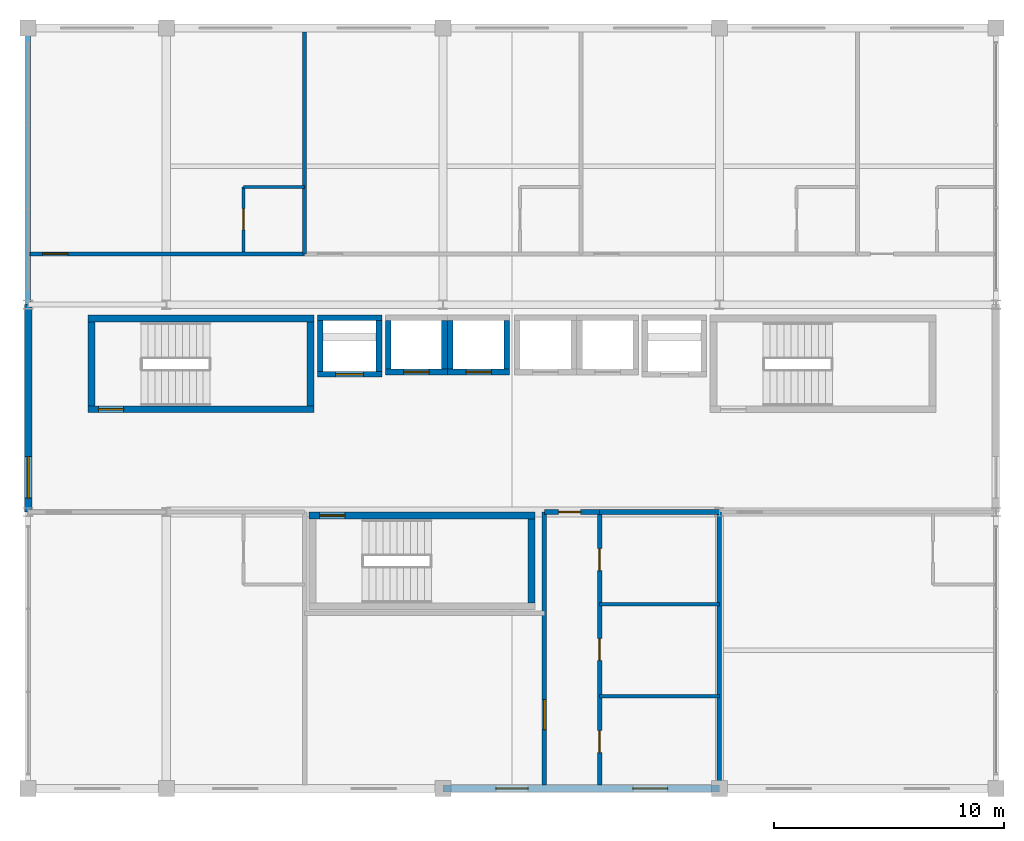
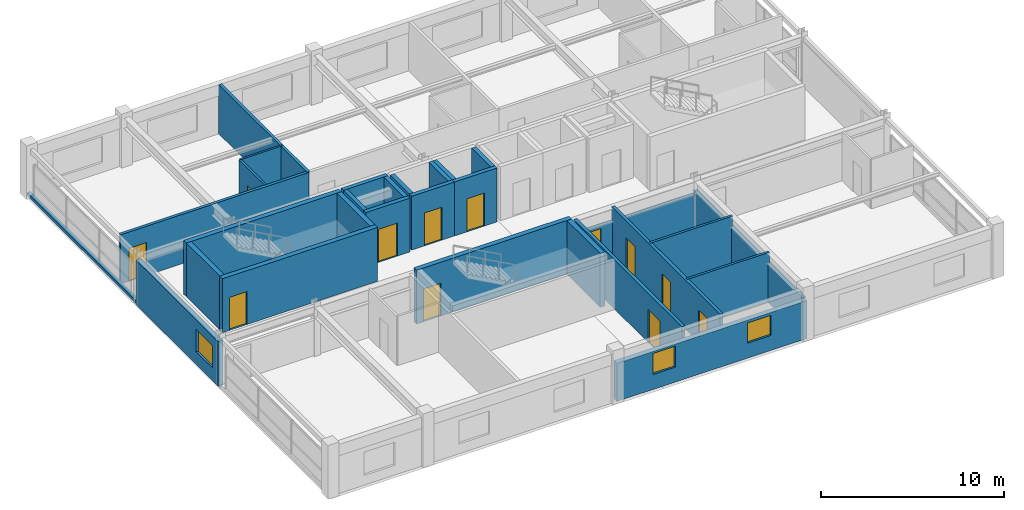
# One storey, part 19 of 22: 30 walls, 12 doors, 3 windows, 15 openings.
"""IFC4 building model written with IfcOpenShell, lengths in metres."""

from ifc_helpers import new_model, si_unit, direction, frame, frame_2d, origin, place, context, subcontext, project, spatial, rectangle, extrude, material, layer, layer_set, type_object, element, fill, save


model = new_model("IFC4")

# Units and contexts
model_context = context("Model", 3, precision=1e-05, world=origin(), true_north=direction((0.0, 1.0)))
body_context = subcontext(model_context, "Body", "Model", "MODEL_VIEW")
ifc_project = project(units=[si_unit("LENGTHUNIT", "METRE"), si_unit("AREAUNIT", "SQUARE_METRE"), si_unit("VOLUMEUNIT", "CUBIC_METRE"), si_unit("PLANEANGLEUNIT", "RADIAN"), si_unit("MASSUNIT", "GRAM", prefix="KILO")], contexts=[model_context])

# Site, building, storey
site_placement = place(None, origin())
site = spatial("IfcSite", under=ifc_project, at=site_placement, CompositionType="ELEMENT")
building_placement = place(site_placement, origin())
building = spatial("IfcBuilding", under=site, at=building_placement, Name="Kaldorvane Square Convention Centre", CompositionType="ELEMENT")
storey_placement = place(building_placement, frame((0.0, 0.0, 63.600006103515625)))
storey = spatial("IfcBuildingStorey", under=building, at=storey_placement, Name="L15", CompositionType="ELEMENT", Elevation=63.600006103515625)

# Wall, opening, door
ifc_material_1 = material(Name="Fire-Rated Gypsum Board on Acoustic Steel Studs", Category="steel")
ifc_layer_1 = layer(ifc_material_1, 0.125)
ifc_layer_set_1 = layer_set([ifc_layer_1], Name="Fire-Rated Gypsum Board on Acoustic Steel Studs")
wall_type_1 = type_object("IfcWallType", Name="WL-BATH-125", PredefinedType="PARTITIONING", material=ifc_layer_set_1)
wall_1_placement = place(storey_placement, frame((45.350006103515625, 107.28999328613281, 0.0), z_axis=(0.0, 0.0, 1.0), x_axis=(0.0, 1.0, 0.0)))
wall_1 = element("IfcWall", 1, at=wall_1_placement, inside=storey, type_object=wall_type_1, Name="En-Suite 1501 West Wall", PredefinedType="PARTITIONING", context=body_context, shape_type="SweptSolid", body=[
    extrude(rectangle(XDim=2.8100128173828125, YDim=0.125, at=frame_2d((1.404998779296875, 0.0))), origin(), (0.0, 0.0, 1.0), 3.2899932861328125),
])
opening_1_placement = place(wall_1_placement, frame((0.9499969482421875, 0.0, 0.0)))
opening_1 = element("IfcOpeningElement", 2, at=opening_1_placement, cuts=wall_1, Name="Opening ID-12", PredefinedType="OPENING", context=body_context, shape_type="SweptSolid", body=[
    extrude(rectangle(XDim=0.9199981689453125, YDim=2.100006103515625, at=frame_2d((0.459991455078125, 1.0500030517578125))), frame((0.0, 0.0774993896484375, 0.0), z_axis=(0.0, -1.0, 0.0), x_axis=(1.0, 0.0, 0.0)), (0.0, 0.0, 1.0), 0.154998779296875),
])
ifc_material_2 = material(Name="Architectural Solid-Core White Oak")
door_type_1 = type_object("IfcDoorType", Name="DR-BATH-0920X2100", OperationType="SINGLE_SWING_RIGHT", PredefinedType="DOOR", material=ifc_material_2)
door_1_placement = place(opening_1_placement, origin())
door_1 = element("IfcDoor", 3, at=door_1_placement, inside=storey, type_object=door_type_1, Name="En-Suite Bathroom 1501 Door", OperationType="SINGLE_SWING_RIGHT", OverallHeight=2.100006103515625, OverallWidth=0.9199981689453125, PredefinedType="DOOR", context=body_context, shape_type="SweptSolid", body=[
    extrude(rectangle(XDim=0.9199981689453125, YDim=2.100006103515625, at=frame_2d((0.459991455078125, 1.0500030517578125))), frame((0.0, 0.024993896484375, 0.0), z_axis=(0.0, -1.0, 0.0), x_axis=(1.0, 0.0, 0.0)), (0.0, 0.0, 1.0), 0.0500030517578125),
])
fill(opening_1, door_1)

# Wall
wall_2_placement = place(storey_placement, frame((45.350006103515625, 110.10000610351562, 0.0), z_axis=(0.0, 0.0, 1.0), x_axis=(1.0, 0.0, 0.0)))
element("IfcWall", 4, at=wall_2_placement, inside=storey, type_object=wall_type_1, Name="En-Suite 1501 North Wall", PredefinedType="PARTITIONING", context=body_context, shape_type="SweptSolid", body=[
    extrude(rectangle(XDim=2.649993896484375, YDim=0.125, at=frame_2d((1.3249969482421875, 0.0))), origin(), (0.0, 0.0, 1.0), 3.2899932861328125),
])

# Wall, opening, door
ifc_layer_2 = layer(ifc_material_1, 0.1999969482421875)
ifc_layer_set_2 = layer_set([ifc_layer_2], Name="Fire-Rated Gypsum Board on Acoustic Steel Studs")
wall_type_2 = type_object("IfcWallType", Name="WL-CORR-200", PredefinedType="PARTITIONING", material=ifc_layer_set_2)
wall_3_placement = place(storey_placement, frame((58.399993896484375, 96.0, 0.0), z_axis=(0.0, 0.0, 1.0), x_axis=(1.0, 0.0, 0.0)))
wall_3 = element("IfcWall", 5, at=wall_3_placement, inside=storey, type_object=wall_type_2, Name="Restroom Vestibule Entry Header (L15)", PredefinedType="PARTITIONING", context=body_context, shape_type="SweptSolid", body=[
    extrude(rectangle(XDim=2.4000091552734375, YDim=0.1999969482421875, at=frame_2d((1.20001220703125, 0.0))), origin(), (0.0, 0.0, 1.0), 2.3589935302734375),
])
opening_2_placement = place(wall_3_placement, frame((0.625, 0.0, 0.0)))
opening_2 = element("IfcOpeningElement", 6, at=opening_2_placement, cuts=wall_3, Name="Opening ID-13", PredefinedType="OPENING", context=body_context, shape_type="SweptSolid", body=[
    extrude(rectangle(XDim=0.9499969482421875, YDim=2.149993896484375, at=frame_2d((0.475006103515625, 1.0749969482421875))), frame((0.0, 0.114990234375, 0.0), z_axis=(0.0, -1.0, 0.0), x_axis=(1.0, 0.0, 0.0)), (0.0, 0.0, 1.0), 0.2299957275390625),
])
door_type_2 = type_object("IfcDoorType", Name="DR-WC-0950X2150", OperationType="SINGLE_SWING_LEFT", PredefinedType="DOOR", material=ifc_material_2)
door_2_placement = place(opening_2_placement, origin())
door_2 = element("IfcDoor", 7, at=door_2_placement, inside=storey, type_object=door_type_2, Name="Restroom Vestibule Door (L15)", OperationType="SINGLE_SWING_LEFT", OverallHeight=2.149993896484375, OverallWidth=0.9499969482421875, PredefinedType="DOOR", context=body_context, shape_type="SweptSolid", body=[
    extrude(rectangle(XDim=0.9499969482421875, YDim=2.149993896484375, at=frame_2d((0.475006103515625, 1.0749969482421875))), frame((0.0, 0.024993896484375, 0.0), z_axis=(0.0, -1.0, 0.0), x_axis=(1.0, 0.0, 0.0)), (0.0, 0.0, 1.0), 0.0500030517578125),
])
fill(opening_2, door_2)

wall_4_placement = place(storey_placement, frame((58.399993896484375, 84.16000366210938, 0.0), z_axis=(0.0, 0.0, 1.0), x_axis=(0.0, 1.0, 0.0)))
wall_4 = element("IfcWall", 8, at=wall_4_placement, inside=storey, type_object=wall_type_2, Name="Restroom Vestibule West Wall (L15)", PredefinedType="PARTITIONING", context=body_context, shape_type="SweptSolid", body=[
    extrude(rectangle(XDim=11.839996337890625, YDim=0.1999969482421875, at=frame_2d((5.9199981689453125, 0.0))), origin(), (0.0, 0.0, 1.0), 3.2899932861328125),
])
opening_3_placement = place(wall_4_placement, frame((2.399993896484375, 0.0, 0.0)))
opening_3 = element("IfcOpeningElement", 9, at=opening_3_placement, cuts=wall_4, Name="Opening ID-09", PredefinedType="OPENING", context=body_context, shape_type="SweptSolid", body=[
    extrude(rectangle(XDim=1.3000030517578125, YDim=2.1999969482421875, at=frame_2d((0.649993896484375, 1.100006103515625))), frame((0.0, 0.114990234375, 0.0), z_axis=(0.0, -1.0, 0.0), x_axis=(1.0, 0.0, 0.0)), (0.0, 0.0, 1.0), 0.2299957275390625),
])
ifc_material_3 = material(Name="Insulated Hollow Metal Steel", Category="steel")
door_type_3 = type_object("IfcDoorType", Name="DR-SVC-1300X2200", OperationType="DOUBLE_DOOR_SINGLE_SWING", PredefinedType="DOOR", material=ifc_material_3)
door_3_placement = place(opening_3_placement, origin())
door_3 = element("IfcDoor", 10, at=door_3_placement, inside=storey, type_object=door_type_3, Name="Housekeeping and Linen Room (L15) Door", OperationType="DOUBLE_DOOR_SINGLE_SWING", OverallHeight=2.1999969482421875, OverallWidth=1.3000030517578125, PredefinedType="DOOR", context=body_context, shape_type="SweptSolid", body=[
    extrude(rectangle(XDim=1.3000030517578125, YDim=2.1999969482421875, at=frame_2d((0.649993896484375, 1.100006103515625))), frame((0.0, 0.024993896484375, 0.0), z_axis=(0.0, -1.0, 0.0), x_axis=(1.0, 0.0, 0.0)), (0.0, 0.0, 1.0), 0.0500030517578125),
])
fill(opening_3, door_3)

# Wall, openings, doors
wall_5_placement = place(storey_placement, frame((60.80000305175781, 84.16000366210938, 0.0), z_axis=(0.0, 0.0, 1.0), x_axis=(0.0, 1.0, 0.0)))
wall_5 = element("IfcWall", 11, at=wall_5_placement, inside=storey, type_object=wall_type_2, Name="Restroom Vestibule East Wall (L15)", PredefinedType="PARTITIONING", context=body_context, shape_type="SweptSolid", body=[
    extrude(rectangle(XDim=11.839996337890625, YDim=0.1999969482421875, at=frame_2d((5.9199981689453125, 0.0))), origin(), (0.0, 0.0, 1.0), 3.2899932861328125),
])
opening_4_placement = place(wall_5_placement, frame((1.399993896484375, 0.0, 0.0)))
opening_4 = element("IfcOpeningElement", 12, at=opening_4_placement, cuts=wall_5, Name="Opening ID-13", PredefinedType="OPENING", context=body_context, shape_type="SweptSolid", body=[
    extrude(rectangle(XDim=0.9499969482421875, YDim=2.149993896484375, at=frame_2d((0.475006103515625, 1.0749969482421875))), frame((0.0, 0.114990234375, 0.0), z_axis=(0.0, -1.0, 0.0), x_axis=(1.0, 0.0, 0.0)), (0.0, 0.0, 1.0), 0.2299957275390625),
])
opening_5_placement = place(wall_5_placement, frame((5.399993896484375, 0.0, 0.0)))
opening_5 = element("IfcOpeningElement", 13, at=opening_5_placement, cuts=wall_5, Name="Opening ID-13", PredefinedType="OPENING", context=body_context, shape_type="SweptSolid", body=[
    extrude(rectangle(XDim=0.9499969482421875, YDim=2.149993896484375, at=frame_2d((0.475006103515625, 1.0749969482421875))), frame((0.0, 0.114990234375, 0.0), z_axis=(0.0, -1.0, 0.0), x_axis=(1.0, 0.0, 0.0)), (0.0, 0.0, 1.0), 0.2299957275390625),
])
opening_6_placement = place(wall_5_placement, frame((9.300003051757812, 0.0, 0.0)))
opening_6 = element("IfcOpeningElement", 14, at=opening_6_placement, cuts=wall_5, Name="Opening ID-13", PredefinedType="OPENING", context=body_context, shape_type="SweptSolid", body=[
    extrude(rectangle(XDim=0.9499969482421875, YDim=2.149993896484375, at=frame_2d((0.475006103515625, 1.0749969482421875))), frame((0.0, 0.114990234375, 0.0), z_axis=(0.0, -1.0, 0.0), x_axis=(1.0, 0.0, 0.0)), (0.0, 0.0, 1.0), 0.2299957275390625),
])
door_4_placement = place(opening_4_placement, origin())
door_4 = element("IfcDoor", 15, at=door_4_placement, inside=storey, type_object=door_type_2, Name="Accessible Restroom Door (L15)", OperationType="SINGLE_SWING_LEFT", OverallHeight=2.149993896484375, OverallWidth=0.9499969482421875, PredefinedType="DOOR", context=body_context, shape_type="SweptSolid", body=[
    extrude(rectangle(XDim=0.9499969482421875, YDim=2.149993896484375, at=frame_2d((0.475006103515625, 1.0749969482421875))), frame((0.0, 0.024993896484375, 0.0), z_axis=(0.0, -1.0, 0.0), x_axis=(1.0, 0.0, 0.0)), (0.0, 0.0, 1.0), 0.0500030517578125),
])
fill(opening_4, door_4)
door_5_placement = place(opening_5_placement, origin())
door_5 = element("IfcDoor", 16, at=door_5_placement, inside=storey, type_object=door_type_2, Name="Men's Restroom Door (L15)", OperationType="SINGLE_SWING_LEFT", OverallHeight=2.149993896484375, OverallWidth=0.9499969482421875, PredefinedType="DOOR", context=body_context, shape_type="SweptSolid", body=[
    extrude(rectangle(XDim=0.9499969482421875, YDim=2.149993896484375, at=frame_2d((0.475006103515625, 1.0749969482421875))), frame((0.0, 0.024993896484375, 0.0), z_axis=(0.0, -1.0, 0.0), x_axis=(1.0, 0.0, 0.0)), (0.0, 0.0, 1.0), 0.0500030517578125),
])
fill(opening_5, door_5)
door_6_placement = place(opening_6_placement, origin())
door_6 = element("IfcDoor", 17, at=door_6_placement, inside=storey, type_object=door_type_2, Name="Women's Restroom Door (L15)", OperationType="SINGLE_SWING_LEFT", OverallHeight=2.149993896484375, OverallWidth=0.9499969482421875, PredefinedType="DOOR", context=body_context, shape_type="SweptSolid", body=[
    extrude(rectangle(XDim=0.9499969482421875, YDim=2.149993896484375, at=frame_2d((0.475006103515625, 1.0749969482421875))), frame((0.0, 0.024993896484375, 0.0), z_axis=(0.0, -1.0, 0.0), x_axis=(1.0, 0.0, 0.0)), (0.0, 0.0, 1.0), 0.0500030517578125),
])
fill(opening_6, door_6)

# Walls
wall_6_placement = place(storey_placement, frame((66.0, 84.16000366210938, 0.0), z_axis=(0.0, 0.0, 1.0), x_axis=(0.0, 1.0, 0.0)))
element("IfcWall", 18, at=wall_6_placement, inside=storey, type_object=wall_type_2, Name="Restroom East Wall (L15)", PredefinedType="PARTITIONING", context=body_context, shape_type="SweptSolid", body=[
    extrude(rectangle(XDim=11.839996337890625, YDim=0.1999969482421875, at=frame_2d((5.9199981689453125, 0.0))), origin(), (0.0, 0.0, 1.0), 2.589996337890625),
])
wall_7_placement = place(storey_placement, frame((60.80000305175781, 96.0, 0.0), z_axis=(0.0, 0.0, 1.0), x_axis=(1.0, 0.0, 0.0)))
element("IfcWall", 19, at=wall_7_placement, inside=storey, type_object=wall_type_2, Name="Restroom North Wall (L15)", PredefinedType="PARTITIONING", context=body_context, shape_type="SweptSolid", body=[
    extrude(rectangle(XDim=5.1999969482421875, YDim=0.1999969482421875, at=frame_2d((2.600006103515625, 0.0))), origin(), (0.0, 0.0, 1.0), 2.3589935302734375),
])

# Wall, openings, windows
ifc_material_4 = material(Name="Concrete f'c = 35 MPa (Normalweight)", Category="concrete")
ifc_layer_3 = layer(ifc_material_4, 0.32000732421875)
ifc_layer_set_3 = layer_set([ifc_layer_3], Name="Concrete f'c = 35 MPa (Normalweight)")
wall_type_3 = type_object("IfcWallType", Name="WL-EXT-320", PredefinedType="STANDARD", material=ifc_layer_set_3)
wall_8_placement = place(storey_placement, frame((54.0, 84.0, 0.0), z_axis=(0.0, 0.0, 1.0), x_axis=(1.0, 0.0, 0.0)))
wall_8 = element("IfcWall", 20, at=wall_8_placement, inside=storey, type_object=wall_type_3, Name="Hotel S Brutalist Facade Wall (L15)", PredefinedType="STANDARD", context=body_context, shape_type="SweptSolid", body=[
    extrude(rectangle(XDim=12.0, YDim=0.32000732421875, at=frame_2d((6.0, 0.0))), origin(), (0.0, 0.0, 1.0), 2.5359954833984375),
])
opening_7_placement = place(wall_8_placement, frame((2.3000030517578125, 0.0, 1.0)))
opening_7 = element("IfcOpeningElement", 21, at=opening_7_placement, cuts=wall_8, Name="Opening W-13", PredefinedType="OPENING", context=body_context, shape_type="SweptSolid", body=[
    extrude(rectangle(XDim=1.399993896484375, YDim=1.399993896484375, at=frame_2d((0.6999969482421875, 0.6999969482421875))), frame((0.0, 0.1750030517578125, 0.0), z_axis=(0.0, -1.0, 0.0), x_axis=(1.0, 0.0, 0.0)), (0.0, 0.0, 1.0), 0.350006103515625),
])
opening_8_placement = place(wall_8_placement, frame((8.25, 0.0, 1.0)))
opening_8 = element("IfcOpeningElement", 22, at=opening_8_placement, cuts=wall_8, Name="Opening W-14", PredefinedType="OPENING", context=body_context, shape_type="SweptSolid", body=[
    extrude(rectangle(XDim=1.5, YDim=1.350006103515625, at=frame_2d((0.75, 0.6750030517578125))), frame((0.0, 0.1750030517578125, 0.0), z_axis=(0.0, -1.0, 0.0), x_axis=(1.0, 0.0, 0.0)), (0.0, 0.0, 1.0), 0.350006103515625),
])
ifc_material_5 = material(Name="Anodized Aluminum and Low-E Insulated Glazing", Category="aluminium")
window_type_1 = type_object("IfcWindowType", Name="WN-HTL-1400X1400", PartitioningType="SINGLE_PANEL", PredefinedType="WINDOW", material=ifc_material_5)
window_1_placement = place(opening_7_placement, origin())
window_1 = element("IfcWindow", 23, at=window_1_placement, inside=storey, type_object=window_type_1, Name="Hotel S Window (L15)", OverallHeight=1.399993896484375, OverallWidth=1.399993896484375, PartitioningType="SINGLE_PANEL", PredefinedType="WINDOW", context=body_context, shape_type="SweptSolid", body=[
    extrude(rectangle(XDim=1.399993896484375, YDim=1.399993896484375, at=frame_2d((0.6999969482421875, 0.6999969482421875))), frame((0.0, 0.029998779296875, 0.0), z_axis=(0.0, -1.0, 0.0), x_axis=(1.0, 0.0, 0.0)), (0.0, 0.0, 1.0), 0.05999755859375),
])
fill(opening_7, window_1)
window_type_2 = type_object("IfcWindowType", Name="WN-HTL-1500X1350", PartitioningType="SINGLE_PANEL", PredefinedType="WINDOW", material=ifc_material_5)
window_2_placement = place(opening_8_placement, origin())
window_2 = element("IfcWindow", 24, at=window_2_placement, inside=storey, type_object=window_type_2, Name="Hotel S Window (L15)", OverallHeight=1.350006103515625, OverallWidth=1.5, PartitioningType="SINGLE_PANEL", PredefinedType="WINDOW", context=body_context, shape_type="SweptSolid", body=[
    extrude(rectangle(XDim=1.5, YDim=1.350006103515625, at=frame_2d((0.75, 0.6750030517578125))), frame((0.0, 0.029998779296875, 0.0), z_axis=(0.0, -1.0, 0.0), x_axis=(1.0, 0.0, 0.0)), (0.0, 0.0, 1.0), 0.05999755859375),
])
fill(opening_8, window_2)

# Wall, opening, window
wall_9_placement = place(storey_placement, frame((36.0, 105.0, 0.0), z_axis=(0.0, 0.0, 1.0), x_axis=(0.0, -1.0, 0.0)))
wall_9 = element("IfcWall", 25, at=wall_9_placement, inside=storey, type_object=wall_type_3, Name="Hotel W End Wall (L15)", PredefinedType="STANDARD", context=body_context, shape_type="SweptSolid", body=[
    extrude(rectangle(XDim=9.0, YDim=0.32000732421875, at=frame_2d((4.5, 0.0))), origin(), (0.0, 0.0, 1.0), 2.980987548828125),
])
opening_9_placement = place(wall_9_placement, frame((6.600006103515625, 0.0, 0.850006103515625)))
opening_9 = element("IfcOpeningElement", 26, at=opening_9_placement, cuts=wall_9, Name="Opening W-11", PredefinedType="OPENING", context=body_context, shape_type="SweptSolid", body=[
    extrude(rectangle(XDim=1.8000030517578125, YDim=1.5, at=frame_2d((0.899993896484375, 0.75))), frame((0.0, 0.1750030517578125, 0.0), z_axis=(0.0, -1.0, 0.0), x_axis=(1.0, 0.0, 0.0)), (0.0, 0.0, 1.0), 0.350006103515625),
])
window_type_3 = type_object("IfcWindowType", Name="WN-HTL-1800X1500", PartitioningType="SINGLE_PANEL", PredefinedType="WINDOW", material=ifc_material_5)
window_3_placement = place(opening_9_placement, origin())
window_3 = element("IfcWindow", 27, at=window_3_placement, inside=storey, type_object=window_type_3, Name="Hotel End Window W (L15)", OverallHeight=1.5, OverallWidth=1.8000030517578125, PartitioningType="SINGLE_PANEL", PredefinedType="WINDOW", context=body_context, shape_type="SweptSolid", body=[
    extrude(rectangle(XDim=1.8000030517578125, YDim=1.5, at=frame_2d((0.899993896484375, 0.75))), frame((0.0, 0.029998779296875, 0.0), z_axis=(0.0, -1.0, 0.0), x_axis=(1.0, 0.0, 0.0)), (0.0, 0.0, 1.0), 0.05999755859375),
])
fill(opening_9, window_3)

# Walls
ifc_layer_4 = layer(ifc_material_4, 0.220001220703125)
ifc_layer_set_4 = layer_set([ifc_layer_4], Name="Concrete f'c = 35 MPa (Normalweight)")
wall_type_4 = type_object("IfcWallType", Name="WL-PAR-220", PredefinedType="PARAPET", material=ifc_layer_set_4)
wall_10_placement = place(storey_placement, frame((36.0, 117.0, 0.0), z_axis=(0.0, 0.0, 1.0), x_axis=(0.0, -1.0, 0.0)))
element("IfcWall", 28, at=wall_10_placement, inside=storey, type_object=wall_type_4, Name="Hotel End Curtain-Wall Sill (L15)", PredefinedType="PARAPET", context=body_context, shape_type="SweptSolid", body=[
    extrude(rectangle(XDim=12.0, YDim=0.220001220703125, at=frame_2d((6.0, 0.0))), origin(), (0.0, 0.0, 1.0), 0.1999969482421875),
])
ifc_layer_5 = layer(ifc_material_1, 0.149993896484375)
ifc_layer_set_5 = layer_set([ifc_layer_5], Name="Fire-Rated Gypsum Board on Acoustic Steel Studs")
wall_type_5 = type_object("IfcWallType", Name="WL-PART-150", PredefinedType="PARTITIONING", material=ifc_layer_set_5)
for number, where, z_axis, x_axis, name in (
    (29, (60.80000305175781, 88.0, 0.0), (0.0, 0.0, 1.0), (1.0, 0.0, 0.0), "Restroom Partition 1 (L15)"),
    (30, (60.80000305175781, 92.0, 0.0), (0.0, 0.0, 1.0), (1.0, 0.0, 0.0), "Restroom Partition 2 (L15)"),
):
    element("IfcWall", number, at=place(storey_placement, frame(where, z_axis=z_axis, x_axis=x_axis)), inside=storey, type_object=wall_type_5, Name=name, PredefinedType="PARTITIONING", context=body_context, shape_type="SweptSolid", body=[
        extrude(rectangle(XDim=5.1999969482421875, YDim=0.149993896484375, at=frame_2d((2.600006103515625, 0.0))), origin(), (0.0, 0.0, 1.0), 3.2899932861328125),
    ])

# Wall, opening, door
ifc_material_6 = material(Name="Concrete f'c = 55 MPa (Normalweight)", Category="concrete")
ifc_layer_6 = layer(ifc_material_6, 0.3000030517578125)
ifc_layer_set_6 = layer_set([ifc_layer_6], Name="Concrete f'c = 55 MPa (Normalweight)")
wall_type_6 = type_object("IfcWallType", Name="WL-SHAFT-300", PredefinedType="SHEAR", material=ifc_layer_set_6)
wall_11_placement = place(storey_placement, frame((38.600006103515625, 100.46000671386719, 0.0), z_axis=(0.0, 0.0, 1.0), x_axis=(1.0, 0.0, 0.0)))
wall_11 = element("IfcWall", 31, at=wall_11_placement, inside=storey, type_object=wall_type_6, Name="Core Enclosure Wall stair:ST-T1-S (L15)", PredefinedType="SHEAR", context=body_context, shape_type="SweptSolid", body=[
    extrude(rectangle(XDim=9.79998779296875, YDim=0.3000030517578125, at=frame_2d((4.899993896484375, 0.0))), origin(), (0.0, 0.0, 1.0), 3.5999908447265625),
])
opening_10_placement = place(wall_11_placement, frame((0.4499969482421875, 0.0, 0.0)))
opening_10 = element("IfcOpeningElement", 32, at=opening_10_placement, cuts=wall_11, Name="Opening FD90-S1", PredefinedType="OPENING", context=body_context, shape_type="SweptSolid", body=[
    extrude(rectangle(XDim=1.100006103515625, YDim=2.1999969482421875, at=frame_2d((0.5500030517578125, 1.100006103515625))), frame((0.0, 0.165008544921875, 0.0), z_axis=(0.0, -1.0, 0.0), x_axis=(1.0, 0.0, 0.0)), (0.0, 0.0, 1.0), 0.3300018310546875),
])
ifc_material_7 = material(Name="Fire-Rated Hollow Metal Steel", Category="steel")
door_type_4 = type_object("IfcDoorType", Name="DR-STAIR-1100", OperationType="SINGLE_SWING_RIGHT", PredefinedType="DOOR", material=ifc_material_7)
door_7_placement = place(opening_10_placement, origin())
door_7 = element("IfcDoor", 33, at=door_7_placement, inside=storey, type_object=door_type_4, Name="Tower Exit Stair T1 Fire Door (L15)", OperationType="SINGLE_SWING_RIGHT", OverallHeight=2.1999969482421875, OverallWidth=1.100006103515625, PredefinedType="DOOR", context=body_context, shape_type="SweptSolid", body=[
    extrude(rectangle(XDim=1.100006103515625, YDim=2.1999969482421875, at=frame_2d((0.5500030517578125, 1.100006103515625))), frame((0.0, 0.024993896484375, 0.0), z_axis=(0.0, -1.0, 0.0), x_axis=(1.0, 0.0, 0.0)), (0.0, 0.0, 1.0), 0.0500030517578125),
])
fill(opening_10, door_7)

# Walls
wall_12_placement = place(storey_placement, frame((48.399993896484375, 104.39999389648438, 0.0), z_axis=(0.0, 0.0, 1.0), x_axis=(-1.0, 0.0, 0.0)))
element("IfcWall", 34, at=wall_12_placement, inside=storey, type_object=wall_type_6, Name="Core Enclosure Wall stair:ST-T1-N (L15)", PredefinedType="SHEAR", context=body_context, shape_type="SweptSolid", body=[
    extrude(rectangle(XDim=9.79998779296875, YDim=0.3000030517578125, at=frame_2d((4.899993896484375, 0.0))), origin(), (0.0, 0.0, 1.0), 3.5999908447265625),
])
for number, where, z_axis, x_axis, name in (
    (35, (38.75, 104.25, 0.0), (0.0, 0.0, 1.0), (0.0, -1.0, 0.0), "Core Enclosure Wall stair:ST-T1-W (L15)"),
    (36, (48.25, 100.61000061035156, 0.0), (0.0, 0.0, 1.0), (0.0, 1.0, 0.0), "Core Enclosure Wall stair:ST-T1-E (L15)"),
):
    element("IfcWall", number, at=place(storey_placement, frame(where, z_axis=z_axis, x_axis=x_axis)), inside=storey, type_object=wall_type_6, Name=name, PredefinedType="SHEAR", context=body_context, shape_type="SweptSolid", body=[
        extrude(rectangle(XDim=3.6399993896484375, YDim=0.3000030517578125, at=frame_2d((1.82000732421875, 0.0))), origin(), (0.0, 0.0, 1.0), 3.5999908447265625),
    ])

# Wall, opening, door
wall_13_placement = place(storey_placement, frame((58.0, 95.85000610351562, 0.0), z_axis=(0.0, 0.0, 1.0), x_axis=(-1.0, 0.0, 0.0)))
wall_13 = element("IfcWall", 37, at=wall_13_placement, inside=storey, type_object=wall_type_6, Name="Core Enclosure Wall stair:ST-T3-N (L15)", PredefinedType="SHEAR", context=body_context, shape_type="SweptSolid", body=[
    extrude(rectangle(XDim=9.800003051757812, YDim=0.3000030517578125, at=frame_2d((4.899993896484375, 0.0))), origin(), (0.0, 0.0, 1.0), 3.5999908447265625),
])
opening_11_placement = place(wall_13_placement, frame((8.25, 0.0, 0.0)))
opening_11 = element("IfcOpeningElement", 38, at=opening_11_placement, cuts=wall_13, Name="Opening FD90-S1", PredefinedType="OPENING", context=body_context, shape_type="SweptSolid", body=[
    extrude(rectangle(XDim=1.100006103515625, YDim=2.1999969482421875, at=frame_2d((0.5500030517578125, 1.100006103515625))), frame((0.0, 0.165008544921875, 0.0), z_axis=(0.0, -1.0, 0.0), x_axis=(1.0, 0.0, 0.0)), (0.0, 0.0, 1.0), 0.3300018310546875),
])
door_8_placement = place(opening_11_placement, origin())
door_8 = element("IfcDoor", 39, at=door_8_placement, inside=storey, type_object=door_type_4, Name="Tower Exit Stair T3 Fire Door (L15)", OperationType="SINGLE_SWING_RIGHT", OverallHeight=2.1999969482421875, OverallWidth=1.100006103515625, PredefinedType="DOOR", context=body_context, shape_type="SweptSolid", body=[
    extrude(rectangle(XDim=1.100006103515625, YDim=2.1999969482421875, at=frame_2d((0.5500030517578125, 1.100006103515625))), frame((0.0, 0.024993896484375, 0.0), z_axis=(0.0, -1.0, 0.0), x_axis=(1.0, 0.0, 0.0)), (0.0, 0.0, 1.0), 0.0500030517578125),
])
fill(opening_11, door_8)

# Wall
wall_14_placement = place(storey_placement, frame((57.850006103515625, 92.05999755859375, 0.0), z_axis=(0.0, 0.0, 1.0), x_axis=(0.0, 1.0, 0.0)))
element("IfcWall", 40, at=wall_14_placement, inside=storey, type_object=wall_type_6, Name="Core Enclosure Wall stair:ST-T3-E (L15)", PredefinedType="SHEAR", context=body_context, shape_type="SweptSolid", body=[
    extrude(rectangle(XDim=3.6399993896484375, YDim=0.3000030517578125, at=frame_2d((1.82000732421875, 0.0))), origin(), (0.0, 0.0, 1.0), 3.5999908447265625),
])

# Wall, opening, door
wall_15_placement = place(storey_placement, frame((48.55000305175781, 101.97500610351562, 0.0), z_axis=(0.0, 0.0, 1.0), x_axis=(1.0, 0.0, 0.0)))
wall_15 = element("IfcWall", 41, at=wall_15_placement, inside=storey, type_object=wall_type_6, Name="Core Enclosure Wall lift:FSAE-01-S (L15)", PredefinedType="SHEAR", context=body_context, shape_type="SweptSolid", body=[
    extrude(rectangle(XDim=2.8000030517578125, YDim=0.25, at=frame_2d((1.399993896484375, 0.0))), origin(), (0.0, 0.0, 1.0), 3.5999908447265625),
])
opening_12_placement = place(wall_15_placement, frame((0.8000030517578125, 0.0, 0.0)))
opening_12 = element("IfcOpeningElement", 42, at=opening_12_placement, cuts=wall_15, Name="Opening LD-02", PredefinedType="OPENING", context=body_context, shape_type="SweptSolid", body=[
    extrude(rectangle(XDim=1.1999969482421875, YDim=2.1999969482421875, at=frame_2d((0.600006103515625, 1.100006103515625))), frame((0.0, 0.1399993896484375, 0.0), z_axis=(0.0, -1.0, 0.0), x_axis=(1.0, 0.0, 0.0)), (0.0, 0.0, 1.0), 0.279998779296875),
])
ifc_material_8 = material(Name="Stainless Steel Elevator Door Assembly", Category="steel")
door_type_5 = type_object("IfcDoorType", Name="DR-LIFT-1200", OperationType="DOUBLE_DOOR_SLIDING", PredefinedType="DOOR", material=ifc_material_8)
door_9_placement = place(opening_12_placement, origin())
door_9 = element("IfcDoor", 43, at=door_9_placement, inside=storey, type_object=door_type_5, Name="Elevator Landing Door FSAE-01 (L15)", OperationType="DOUBLE_DOOR_SLIDING", OverallHeight=2.1999969482421875, OverallWidth=1.1999969482421875, PredefinedType="DOOR", context=body_context, shape_type="SweptSolid", body=[
    extrude(rectangle(XDim=1.1999969482421875, YDim=2.1999969482421875, at=frame_2d((0.600006103515625, 1.100006103515625))), frame((0.0, 0.024993896484375, 0.0), z_axis=(0.0, -1.0, 0.0), x_axis=(1.0, 0.0, 0.0)), (0.0, 0.0, 1.0), 0.0500030517578125),
])
fill(opening_12, door_9)

# Walls
wall_16_placement = place(storey_placement, frame((51.350006103515625, 104.42500305175781, 0.0), z_axis=(0.0, 0.0, 1.0), x_axis=(-1.0, 0.0, 0.0)))
element("IfcWall", 44, at=wall_16_placement, inside=storey, type_object=wall_type_6, Name="Core Enclosure Wall lift:FSAE-01-N (L15)", PredefinedType="SHEAR", context=body_context, shape_type="SweptSolid", body=[
    extrude(rectangle(XDim=2.8000030517578125, YDim=0.25, at=frame_2d((1.399993896484375, 0.0))), origin(), (0.0, 0.0, 1.0), 3.5999908447265625),
])
for number, where, z_axis, x_axis, name in (
    (45, (48.67500305175781, 104.30000305175781, 0.0), (0.0, 0.0, 1.0), (0.0, -1.0, 0.0), "Core Enclosure Wall lift:FSAE-01-W (L15)"),
    (46, (51.225006103515625, 102.10000610351562, 0.0), (0.0, 0.0, 1.0), (0.0, 1.0, 0.0), "Core Enclosure Wall lift:FSAE-01-E (L15)"),
):
    element("IfcWall", number, at=place(storey_placement, frame(where, z_axis=z_axis, x_axis=x_axis)), inside=storey, type_object=wall_type_6, Name=name, PredefinedType="SHEAR", context=body_context, shape_type="SweptSolid", body=[
        extrude(rectangle(XDim=2.1999969482421875, YDim=0.25, at=frame_2d((1.100006103515625, 0.0))), origin(), (0.0, 0.0, 1.0), 3.5999908447265625),
    ])

# Wall, opening, door
wall_17_placement = place(storey_placement, frame((51.5, 102.07499694824219, 0.0), z_axis=(0.0, 0.0, 1.0), x_axis=(1.0, 0.0, 0.0)))
wall_17 = element("IfcWall", 47, at=wall_17_placement, inside=storey, type_object=wall_type_6, Name="Core Enclosure Wall lift:EL-P1-S (L15)", PredefinedType="SHEAR", context=body_context, shape_type="SweptSolid", body=[
    extrude(rectangle(XDim=2.6999969482421875, YDim=0.25, at=frame_2d((1.350006103515625, 0.0))), origin(), (0.0, 0.0, 1.0), 3.5999908447265625),
])
opening_13_placement = place(wall_17_placement, frame((0.8000030517578125, 0.0, 0.0)))
opening_13 = element("IfcOpeningElement", 48, at=opening_13_placement, cuts=wall_17, Name="Opening LD-01", PredefinedType="OPENING", context=body_context, shape_type="SweptSolid", body=[
    extrude(rectangle(XDim=1.100006103515625, YDim=2.1999969482421875, at=frame_2d((0.5500030517578125, 1.100006103515625))), frame((0.0, 0.1399993896484375, 0.0), z_axis=(0.0, -1.0, 0.0), x_axis=(1.0, 0.0, 0.0)), (0.0, 0.0, 1.0), 0.279998779296875),
])
door_type_6 = type_object("IfcDoorType", Name="DR-LIFT-1100", OperationType="DOUBLE_DOOR_SLIDING", PredefinedType="DOOR", material=ifc_material_8)
door_10_placement = place(opening_13_placement, origin())
door_10 = element("IfcDoor", 49, at=door_10_placement, inside=storey, type_object=door_type_6, Name="Elevator Landing Door EL-P1 (L15)", OperationType="DOUBLE_DOOR_SLIDING", OverallHeight=2.1999969482421875, OverallWidth=1.100006103515625, PredefinedType="DOOR", context=body_context, shape_type="SweptSolid", body=[
    extrude(rectangle(XDim=1.100006103515625, YDim=2.1999969482421875, at=frame_2d((0.5500030517578125, 1.100006103515625))), frame((0.0, 0.024993896484375, 0.0), z_axis=(0.0, -1.0, 0.0), x_axis=(1.0, 0.0, 0.0)), (0.0, 0.0, 1.0), 0.0500030517578125),
])
fill(opening_13, door_10)

# Walls
for number, where, z_axis, x_axis, name in (
    (50, (51.625, 104.30000305175781, 0.0), (0.0, 0.0, 1.0), (0.0, -1.0, 0.0), "Core Enclosure Wall lift:EL-P1-W (L15)"),
    (51, (54.07499694824219, 102.19999694824219, 0.0), (0.0, 0.0, 1.0), (0.0, 1.0, 0.0), "Core Enclosure Wall lift:EL-P1-E (L15)"),
):
    element("IfcWall", number, at=place(storey_placement, frame(where, z_axis=z_axis, x_axis=x_axis)), inside=storey, type_object=wall_type_6, Name=name, PredefinedType="SHEAR", context=body_context, shape_type="SweptSolid", body=[
        extrude(rectangle(XDim=2.100006103515625, YDim=0.25, at=frame_2d((1.0500030517578125, 0.0))), origin(), (0.0, 0.0, 1.0), 3.5999908447265625),
    ])

# Wall, opening, door
wall_18_placement = place(storey_placement, frame((54.19999694824219, 102.07499694824219, 0.0), z_axis=(0.0, 0.0, 1.0), x_axis=(1.0, 0.0, 0.0)))
wall_18 = element("IfcWall", 52, at=wall_18_placement, inside=storey, type_object=wall_type_6, Name="Core Enclosure Wall lift:EL-P2-S (L15)", PredefinedType="SHEAR", context=body_context, shape_type="SweptSolid", body=[
    extrude(rectangle(XDim=2.6999969482421875, YDim=0.25, at=frame_2d((1.350006103515625, 0.0))), origin(), (0.0, 0.0, 1.0), 3.5999908447265625),
])
opening_14_placement = place(wall_18_placement, frame((0.8000030517578125, 0.0, 0.0)))
opening_14 = element("IfcOpeningElement", 53, at=opening_14_placement, cuts=wall_18, Name="Opening LD-01", PredefinedType="OPENING", context=body_context, shape_type="SweptSolid", body=[
    extrude(rectangle(XDim=1.100006103515625, YDim=2.1999969482421875, at=frame_2d((0.5500030517578125, 1.100006103515625))), frame((0.0, 0.1399993896484375, 0.0), z_axis=(0.0, -1.0, 0.0), x_axis=(1.0, 0.0, 0.0)), (0.0, 0.0, 1.0), 0.279998779296875),
])
door_11_placement = place(opening_14_placement, origin())
door_11 = element("IfcDoor", 54, at=door_11_placement, inside=storey, type_object=door_type_6, Name="Elevator Landing Door EL-P2 (L15)", OperationType="DOUBLE_DOOR_SLIDING", OverallHeight=2.1999969482421875, OverallWidth=1.100006103515625, PredefinedType="DOOR", context=body_context, shape_type="SweptSolid", body=[
    extrude(rectangle(XDim=1.100006103515625, YDim=2.1999969482421875, at=frame_2d((0.5500030517578125, 1.100006103515625))), frame((0.0, 0.024993896484375, 0.0), z_axis=(0.0, -1.0, 0.0), x_axis=(1.0, 0.0, 0.0)), (0.0, 0.0, 1.0), 0.0500030517578125),
])
fill(opening_14, door_11)

# Walls
for number, where, z_axis, x_axis, name in (
    (55, (54.32499694824219, 104.30000305175781, 0.0), (0.0, 0.0, 1.0), (0.0, -1.0, 0.0), "Core Enclosure Wall lift:EL-P2-W (L15)"),
    (56, (56.774993896484375, 102.19999694824219, 0.0), (0.0, 0.0, 1.0), (0.0, 1.0, 0.0), "Core Enclosure Wall lift:EL-P2-E (L15)"),
):
    element("IfcWall", number, at=place(storey_placement, frame(where, z_axis=z_axis, x_axis=x_axis)), inside=storey, type_object=wall_type_6, Name=name, PredefinedType="SHEAR", context=body_context, shape_type="SweptSolid", body=[
        extrude(rectangle(XDim=2.100006103515625, YDim=0.25, at=frame_2d((1.0500030517578125, 0.0))), origin(), (0.0, 0.0, 1.0), 3.5999908447265625),
    ])

# Wall, opening, door
ifc_layer_7 = layer(ifc_material_1, 0.17999267578125)
ifc_layer_set_7 = layer_set([ifc_layer_7], Name="Fire-Rated Gypsum Board on Acoustic Steel Studs")
wall_type_7 = type_object("IfcWallType", Name="WL-UNIT-180", PredefinedType="PARTITIONING", material=ifc_layer_set_7)
wall_19_placement = place(storey_placement, frame((36.08500671386719, 107.19999694824219, 0.0), z_axis=(0.0, 0.0, 1.0), x_axis=(1.0, 0.0, 0.0)))
wall_19 = element("IfcWall", 57, at=wall_19_placement, inside=storey, type_object=wall_type_7, Name="Presidential Suite 1501 Corridor Wall", PredefinedType="PARTITIONING", context=body_context, shape_type="SweptSolid", body=[
    extrude(rectangle(XDim=11.914993286132812, YDim=0.17999267578125, at=frame_2d((5.957489013671875, 0.0))), origin(), (0.0, 0.0, 1.0), 3.2899932861328125),
])
opening_15_placement = place(wall_19_placement, frame((0.5500030517578125, 0.0, 0.0)))
opening_15 = element("IfcOpeningElement", 58, at=opening_15_placement, cuts=wall_19, Name="Opening ID-11", PredefinedType="OPENING", context=body_context, shape_type="SweptSolid", body=[
    extrude(rectangle(XDim=1.100006103515625, YDim=2.1999969482421875, at=frame_2d((0.5500030517578125, 1.100006103515625))), frame((0.0, 0.1049957275390625, 0.0), z_axis=(0.0, -1.0, 0.0), x_axis=(1.0, 0.0, 0.0)), (0.0, 0.0, 1.0), 0.209991455078125),
])
door_type_7 = type_object("IfcDoorType", Name="DR-SUITE-1100X2200", OperationType="SINGLE_SWING_LEFT", PredefinedType="DOOR", material=ifc_material_2)
door_12_placement = place(opening_15_placement, origin())
door_12 = element("IfcDoor", 59, at=door_12_placement, inside=storey, type_object=door_type_7, Name="Presidential Suite 1501 Entry Door", OperationType="SINGLE_SWING_LEFT", OverallHeight=2.1999969482421875, OverallWidth=1.100006103515625, PredefinedType="DOOR", context=body_context, shape_type="SweptSolid", body=[
    extrude(rectangle(XDim=1.100006103515625, YDim=2.1999969482421875, at=frame_2d((0.5500030517578125, 1.100006103515625))), frame((0.0, 0.024993896484375, 0.0), z_axis=(0.0, -1.0, 0.0), x_axis=(1.0, 0.0, 0.0)), (0.0, 0.0, 1.0), 0.0500030517578125),
])
fill(opening_15, door_12)

# Wall
wall_20_placement = place(storey_placement, frame((48.0, 107.19999694824219, 0.0), z_axis=(0.0, 0.0, 1.0), x_axis=(0.0, 1.0, 0.0)))
element("IfcWall", 60, at=wall_20_placement, inside=storey, type_object=wall_type_7, Name="Guestroom Demising Wall 1501", PredefinedType="PARTITIONING", context=body_context, shape_type="SweptSolid", body=[
    extrude(rectangle(XDim=9.639999389648438, YDim=0.17999267578125, at=frame_2d((4.82000732421875, 0.0))), origin(), (0.0, 0.0, 1.0), 3.2899932861328125),
])

save(model, "model.ifc")
